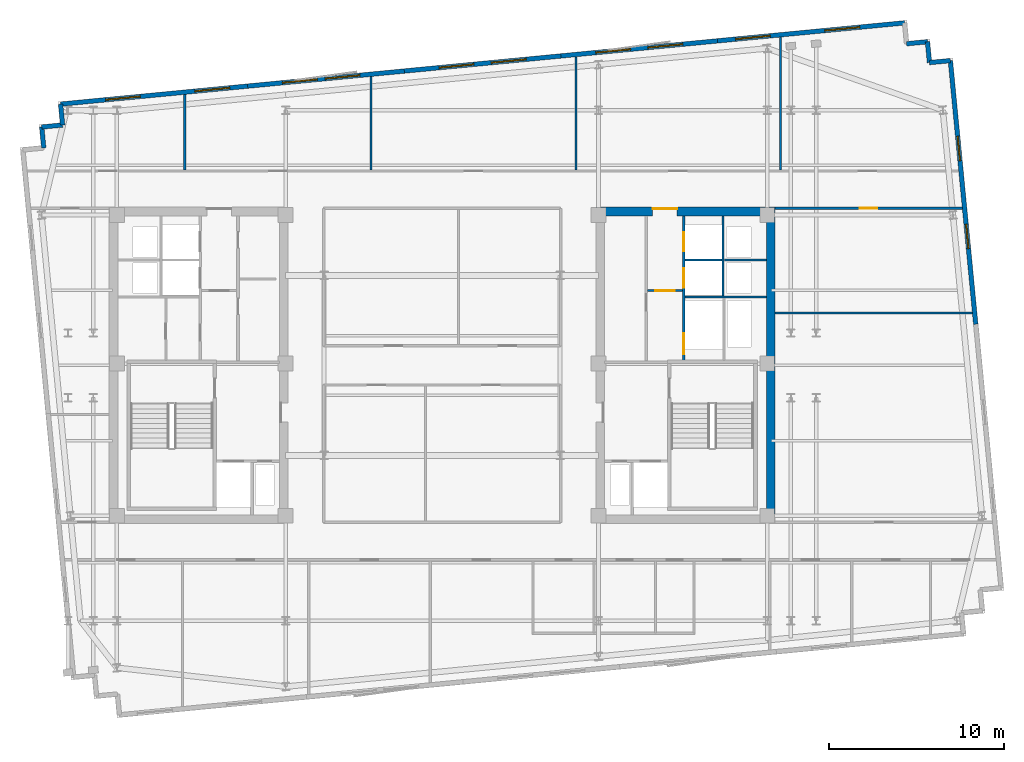
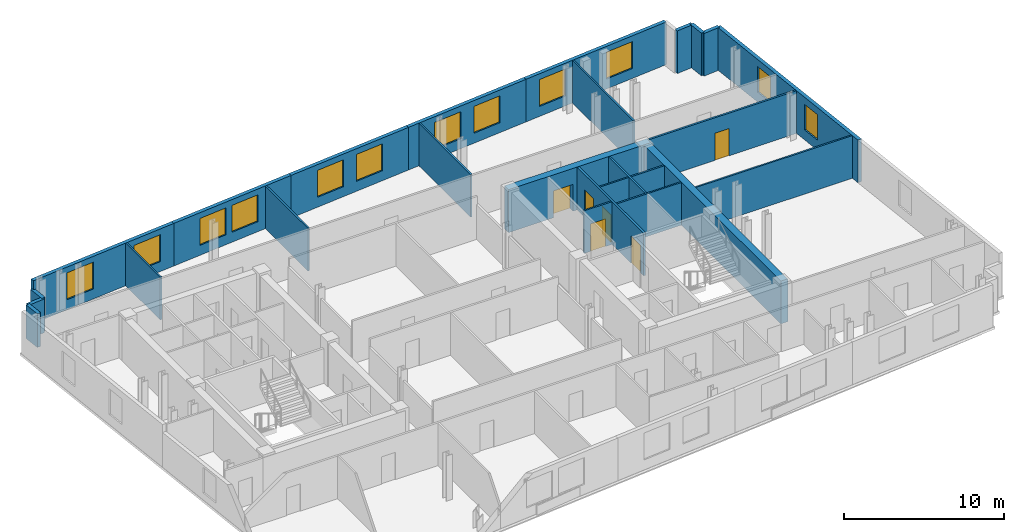
# One storey, part 6 of 9: 26 walls, 12 windows, 6 doors, 18 openings.
"""IFC4 building model written with IfcOpenShell, lengths in metres."""

from ifc_helpers import new_model, si_unit, direction, frame, frame_2d, origin, place, context, subcontext, project, spatial, rectangle, extrude, material, layer, layer_set, type_object, element, fill, save


model = new_model("IFC4")

# Units and contexts
model_context = context("Model", 3, precision=1e-05, world=origin(), true_north=direction((0.0, 1.0)))
body_context = subcontext(model_context, "Body", "Model", "MODEL_VIEW")
ifc_project = project(units=[si_unit("LENGTHUNIT", "METRE"), si_unit("AREAUNIT", "SQUARE_METRE"), si_unit("VOLUMEUNIT", "CUBIC_METRE"), si_unit("PLANEANGLEUNIT", "RADIAN"), si_unit("MASSUNIT", "GRAM", prefix="KILO")], contexts=[model_context])

# Site, building, storey
site_placement = place(None, origin())
site = spatial("IfcSite", under=ifc_project, at=site_placement, CompositionType="ELEMENT")
building_placement = place(site_placement, origin())
building = spatial("IfcBuilding", under=site, at=building_placement, Name="Velakula Bourse", CompositionType="ELEMENT")
storey_placement = place(building_placement, frame((0.0, 0.0, 265.5)))
storey = spatial("IfcBuildingStorey", under=building, at=storey_placement, Name="L72", CompositionType="ELEMENT", Elevation=265.5)

# Wall, opening, door
ifc_material_1 = material(Name="Concrete M50 (fck 50 MPa)", Category="concrete")
ifc_layer_1 = layer(ifc_material_1, 0.5, Name="Concrete M50 (fck 50 MPa)", Category="concrete")
ifc_layer_set_1 = layer_set([ifc_layer_1], Name="Concrete M50 (fck 50 MPa)")
wall_type_1 = type_object("IfcWallType", Name="WL-CORE-500", PredefinedType="SHEAR", material=ifc_layer_set_1)
wall_1_placement = place(storey_placement, frame((8.800048828125, 8.800048828125, 0.0), z_axis=(0.0, 0.0, 1.0), x_axis=(1.0, 0.0, 0.0)))
wall_1 = element("IfcWall", 1, at=wall_1_placement, inside=storey, type_object=wall_type_1, Name="L72 Core E Shear Wall N", PredefinedType="SHEAR", context=body_context, shape_type="SweptSolid", body=[
    extrude(rectangle(XDim=10.25, YDim=0.5, at=frame_2d((5.125, 0.0))), origin(), (0.0, 0.0, 1.0), 3.27001953125),
])
opening_1_placement = place(wall_1_placement, frame((3.25, 0.0, 0.0)))
opening_1 = element("IfcOpeningElement", 2, at=opening_1_placement, cuts=wall_1, Name="Opening D-LLE", PredefinedType="OPENING", context=body_context, shape_type="SweptSolid", body=[
    extrude(rectangle(XDim=1.39990234375, YDim=2.050048828125, at=frame_2d((0.699951171875, 1.02490234375))), frame((0.0, 0.260009765625, 0.0), z_axis=(0.0, -1.0, 0.0), x_axis=(1.0, 0.0, 0.0)), (0.0, 0.0, 1.0), 0.52001953125),
])
ifc_material_2 = material(Name="Fire-rated hardwood flush architectural door", Category="wood")
door_type_1 = type_object("IfcDoorType", Name="DR-DBL-FD60-1400", OperationType="DOUBLE_DOOR_SINGLE_SWING", PredefinedType="DOOR", material=ifc_material_2)
door_1_placement = place(opening_1_placement, origin())
door_1 = element("IfcDoor", 3, at=door_1_placement, inside=storey, type_object=door_type_1, Name="L72 Core E Lift Lobby Corridor Double Door", OperationType="DOUBLE_DOOR_SINGLE_SWING", OverallHeight=2.050048828125, OverallWidth=1.39990234375, PredefinedType="DOOR", context=body_context, shape_type="SweptSolid", body=[
    extrude(rectangle(XDim=1.39990234375, YDim=2.050048828125, at=frame_2d((0.699951171875, 1.02490234375))), frame((0.0, 0.19482421875, 0.0), z_axis=(0.0, -1.0, 0.0), x_axis=(1.0, 0.0, 0.0)), (0.0, 0.0, 1.0), 0.050048828125),
])
fill(opening_1, door_1)

# Wall
wall_2_placement = place(storey_placement, frame((18.800048828125, -8.550048828125, 0.0), z_axis=(0.0, 0.0, 1.0), x_axis=(0.0, 1.0, 0.0)))
element("IfcWall", 4, at=wall_2_placement, inside=storey, type_object=wall_type_1, Name="L72 Core E Shear Wall E", PredefinedType="SHEAR", context=body_context, shape_type="SweptSolid", body=[
    extrude(rectangle(XDim=17.10009765625, YDim=0.5, at=frame_2d((8.550048828125, 0.0))), origin(), (0.0, 0.0, 1.0), 3.27001953125),
])

# Wall, openings, windows
ifc_material_3 = material(Name="Buff kilned clay facing brick masonry", Category="masonry")
ifc_layer_2 = layer(ifc_material_3, 0.260009765625, Name="Buff kilned clay facing brick masonry", Category="masonry")
ifc_layer_set_2 = layer_set([ifc_layer_2], Name="Buff kilned clay facing brick masonry")
wall_type_2 = type_object("IfcWallType", Name="WL-EXT-BRK-260", PredefinedType="STANDARD", material=ifc_layer_set_2)
wall_3_placement = place(storey_placement, frame((-21.820556640625, 14.94482421875, 0.0), z_axis=(0.0, 0.0, 1.0), x_axis=(0.995394787719, 0.095860401528, 0.0)))
wall_3 = element("IfcWall", 5, at=wall_3_placement, inside=storey, type_object=wall_type_2, Name="L72 N Brick Spandrel Wall B1", PredefinedType="STANDARD", context=body_context, shape_type="SweptSolid", body=[
    extrude(rectangle(XDim=10.750244140625, YDim=0.260009765625, at=frame_2d((5.375, 0.0))), origin(), (0.0, 0.0, 1.0), 3.25),
])
opening_2_placement = place(wall_3_placement, frame((2.583251953125, 0.0, 0.760009765625)))
opening_2 = element("IfcOpeningElement", 6, at=opening_2_placement, cuts=wall_3, Name="Opening W-05", PredefinedType="OPENING", context=body_context, shape_type="SweptSolid", body=[
    extrude(rectangle(XDim=2.0, YDim=2.050048828125, at=frame_2d((1.0, 1.02490234375))), frame((0.0, 0.139892578125, 0.0), z_axis=(0.0, -1.0, 0.0), x_axis=(1.0, 0.0, 0.0)), (0.0, 0.0, 1.0), 0.280029296875),
])
opening_3_placement = place(wall_3_placement, frame((7.716796875, 0.0, 0.760009765625)))
opening_3 = element("IfcOpeningElement", 7, at=opening_3_placement, cuts=wall_3, Name="Opening W-05", PredefinedType="OPENING", context=body_context, shape_type="SweptSolid", body=[
    extrude(rectangle(XDim=2.0, YDim=2.050048828125, at=frame_2d((1.0, 1.02490234375))), frame((0.0, 0.139892578125, 0.0), z_axis=(0.0, -1.0, 0.0), x_axis=(1.0, 0.0, 0.0)), (0.0, 0.0, 1.0), 0.280029296875),
])
ifc_material_4 = material(Name="Double-glazed solar-control Low-E glass", Category="glass")
window_type_1 = type_object("IfcWindowType", Name="WIN-TWR-2000x2200", PartitioningType="DOUBLE_PANEL_VERTICAL", PredefinedType="WINDOW", material=ifc_material_4)
window_1_placement = place(opening_2_placement, origin())
window_1 = element("IfcWindow", 8, at=window_1_placement, inside=storey, type_object=window_type_1, Name="L72 Deep-Set Recessed Window 1", OverallHeight=2.050048828125, OverallWidth=2.0, PartitioningType="DOUBLE_PANEL_VERTICAL", PredefinedType="WINDOW", context=body_context, shape_type="SweptSolid", body=[
    extrude(rectangle(XDim=2.0, YDim=2.050048828125, at=frame_2d((1.0, 1.02490234375))), frame((0.0, 0.030029296875, 0.0), z_axis=(0.0, -1.0, 0.0), x_axis=(1.0, 0.0, 0.0)), (0.0, 0.0, 1.0), 0.06005859375),
])
fill(opening_2, window_1)
window_2_placement = place(opening_3_placement, origin())
window_2 = element("IfcWindow", 9, at=window_2_placement, inside=storey, type_object=window_type_1, Name="L72 Deep-Set Recessed Window 2", OverallHeight=2.050048828125, OverallWidth=2.0, PartitioningType="DOUBLE_PANEL_VERTICAL", PredefinedType="WINDOW", context=body_context, shape_type="SweptSolid", body=[
    extrude(rectangle(XDim=2.0, YDim=2.050048828125, at=frame_2d((1.0, 1.02490234375))), frame((0.0, 0.030029296875, 0.0), z_axis=(0.0, -1.0, 0.0), x_axis=(1.0, 0.0, 0.0)), (0.0, 0.0, 1.0), 0.06005859375),
])
fill(opening_3, window_2)

wall_4_placement = place(storey_placement, frame((-11.119873046875, 15.975341796875, 0.0), z_axis=(0.0, 0.0, 1.0), x_axis=(0.995396794462, 0.09583956164, 0.0)))
wall_4 = element("IfcWall", 10, at=wall_4_placement, inside=storey, type_object=wall_type_2, Name="L72 N Brick Spandrel Wall B2", PredefinedType="STANDARD", context=body_context, shape_type="SweptSolid", body=[
    extrude(rectangle(XDim=9.0, YDim=0.260009765625, at=frame_2d((4.5, 0.0))), origin(), (0.0, 0.0, 1.0), 3.25),
])
opening_4_placement = place(wall_4_placement, frame((2.0, 0.0, 0.760009765625)))
opening_4 = element("IfcOpeningElement", 11, at=opening_4_placement, cuts=wall_4, Name="Opening W-05", PredefinedType="OPENING", context=body_context, shape_type="SweptSolid", body=[
    extrude(rectangle(XDim=2.0, YDim=2.050048828125, at=frame_2d((1.0, 1.02490234375))), frame((0.0, 0.139892578125, 0.0), z_axis=(0.0, -1.0, 0.0), x_axis=(1.0, 0.0, 0.0)), (0.0, 0.0, 1.0), 0.280029296875),
])
opening_5_placement = place(wall_4_placement, frame((4.449951171875, 0.0, 0.760009765625)))
opening_5 = element("IfcOpeningElement", 12, at=opening_5_placement, cuts=wall_4, Name="Opening W-05", PredefinedType="OPENING", context=body_context, shape_type="SweptSolid", body=[
    extrude(rectangle(XDim=2.0, YDim=2.050048828125, at=frame_2d((1.0, 1.02490234375))), frame((0.0, 0.139892578125, 0.0), z_axis=(0.0, -1.0, 0.0), x_axis=(1.0, 0.0, 0.0)), (0.0, 0.0, 1.0), 0.280029296875),
])
window_3_placement = place(opening_4_placement, origin())
window_3 = element("IfcWindow", 13, at=window_3_placement, inside=storey, type_object=window_type_1, Name="L72 Deep-Set Recessed Window 1", OverallHeight=2.050048828125, OverallWidth=2.0, PartitioningType="DOUBLE_PANEL_VERTICAL", PredefinedType="WINDOW", context=body_context, shape_type="SweptSolid", body=[
    extrude(rectangle(XDim=2.0, YDim=2.050048828125, at=frame_2d((1.0, 1.02490234375))), frame((0.0, 0.030029296875, 0.0), z_axis=(0.0, -1.0, 0.0), x_axis=(1.0, 0.0, 0.0)), (0.0, 0.0, 1.0), 0.06005859375),
])
fill(opening_4, window_3)
window_4_placement = place(opening_5_placement, origin())
window_4 = element("IfcWindow", 14, at=window_4_placement, inside=storey, type_object=window_type_1, Name="L72 Deep-Set Recessed Window 2", OverallHeight=2.050048828125, OverallWidth=2.0, PartitioningType="DOUBLE_PANEL_VERTICAL", PredefinedType="WINDOW", context=body_context, shape_type="SweptSolid", body=[
    extrude(rectangle(XDim=2.0, YDim=2.050048828125, at=frame_2d((1.0, 1.02490234375))), frame((0.0, 0.030029296875, 0.0), z_axis=(0.0, -1.0, 0.0), x_axis=(1.0, 0.0, 0.0)), (0.0, 0.0, 1.0), 0.06005859375),
])
fill(opening_5, window_4)

wall_5_placement = place(storey_placement, frame((-2.161376953125, 16.837890625, 0.0), z_axis=(0.0, 0.0, 1.0), x_axis=(0.995396794462, 0.09583956164, 0.0)))
wall_5 = element("IfcWall", 15, at=wall_5_placement, inside=storey, type_object=wall_type_2, Name="L72 N Brick Spandrel Wall B3", PredefinedType="STANDARD", context=body_context, shape_type="SweptSolid", body=[
    extrude(rectangle(XDim=9.0, YDim=0.260009765625, at=frame_2d((4.5, 0.0))), origin(), (0.0, 0.0, 1.0), 3.25),
])
opening_6_placement = place(wall_5_placement, frame((2.0, 0.0, 0.760009765625)))
opening_6 = element("IfcOpeningElement", 16, at=opening_6_placement, cuts=wall_5, Name="Opening W-05", PredefinedType="OPENING", context=body_context, shape_type="SweptSolid", body=[
    extrude(rectangle(XDim=2.0, YDim=2.050048828125, at=frame_2d((1.0, 1.02490234375))), frame((0.0, 0.139892578125, 0.0), z_axis=(0.0, -1.0, 0.0), x_axis=(1.0, 0.0, 0.0)), (0.0, 0.0, 1.0), 0.280029296875),
])
opening_7_placement = place(wall_5_placement, frame((5.0, 0.0, 0.760009765625)))
opening_7 = element("IfcOpeningElement", 17, at=opening_7_placement, cuts=wall_5, Name="Opening W-05", PredefinedType="OPENING", context=body_context, shape_type="SweptSolid", body=[
    extrude(rectangle(XDim=2.0, YDim=2.050048828125, at=frame_2d((1.0, 1.02490234375))), frame((0.0, 0.139892578125, 0.0), z_axis=(0.0, -1.0, 0.0), x_axis=(1.0, 0.0, 0.0)), (0.0, 0.0, 1.0), 0.280029296875),
])
window_5_placement = place(opening_6_placement, origin())
window_5 = element("IfcWindow", 18, at=window_5_placement, inside=storey, type_object=window_type_1, Name="L72 Deep-Set Recessed Window 1", OverallHeight=2.050048828125, OverallWidth=2.0, PartitioningType="DOUBLE_PANEL_VERTICAL", PredefinedType="WINDOW", context=body_context, shape_type="SweptSolid", body=[
    extrude(rectangle(XDim=2.0, YDim=2.050048828125, at=frame_2d((1.0, 1.02490234375))), frame((0.0, 0.030029296875, 0.0), z_axis=(0.0, -1.0, 0.0), x_axis=(1.0, 0.0, 0.0)), (0.0, 0.0, 1.0), 0.06005859375),
])
fill(opening_6, window_5)
window_6_placement = place(opening_7_placement, origin())
window_6 = element("IfcWindow", 19, at=window_6_placement, inside=storey, type_object=window_type_1, Name="L72 Deep-Set Recessed Window 2", OverallHeight=2.050048828125, OverallWidth=2.0, PartitioningType="DOUBLE_PANEL_VERTICAL", PredefinedType="WINDOW", context=body_context, shape_type="SweptSolid", body=[
    extrude(rectangle(XDim=2.0, YDim=2.050048828125, at=frame_2d((1.0, 1.02490234375))), frame((0.0, 0.030029296875, 0.0), z_axis=(0.0, -1.0, 0.0), x_axis=(1.0, 0.0, 0.0)), (0.0, 0.0, 1.0), 0.06005859375),
])
fill(opening_7, window_6)

wall_6_placement = place(storey_placement, frame((6.797119140625, 17.700439453125, 0.0), z_axis=(0.0, 0.0, 1.0), x_axis=(0.995394455533, 0.09586385082, 0.0)))
wall_6 = element("IfcWall", 20, at=wall_6_placement, inside=storey, type_object=wall_type_2, Name="L72 N Brick Spandrel Wall B4", PredefinedType="STANDARD", context=body_context, shape_type="SweptSolid", body=[
    extrude(rectangle(XDim=9.000244140625, YDim=0.260009765625, at=frame_2d((4.5, 0.0))), origin(), (0.0, 0.0, 1.0), 3.25),
])
opening_8_placement = place(wall_6_placement, frame((2.0, 0.0, 0.760009765625)))
opening_8 = element("IfcOpeningElement", 21, at=opening_8_placement, cuts=wall_6, Name="Opening W-05", PredefinedType="OPENING", context=body_context, shape_type="SweptSolid", body=[
    extrude(rectangle(XDim=2.0, YDim=2.050048828125, at=frame_2d((1.0, 1.02490234375))), frame((0.0, 0.139892578125, 0.0), z_axis=(0.0, -1.0, 0.0), x_axis=(1.0, 0.0, 0.0)), (0.0, 0.0, 1.0), 0.280029296875),
])
opening_9_placement = place(wall_6_placement, frame((5.0, 0.0, 0.760009765625)))
opening_9 = element("IfcOpeningElement", 22, at=opening_9_placement, cuts=wall_6, Name="Opening W-05", PredefinedType="OPENING", context=body_context, shape_type="SweptSolid", body=[
    extrude(rectangle(XDim=2.0, YDim=2.050048828125, at=frame_2d((1.0, 1.02490234375))), frame((0.0, 0.139892578125, 0.0), z_axis=(0.0, -1.0, 0.0), x_axis=(1.0, 0.0, 0.0)), (0.0, 0.0, 1.0), 0.280029296875),
])
window_7_placement = place(opening_8_placement, origin())
window_7 = element("IfcWindow", 23, at=window_7_placement, inside=storey, type_object=window_type_1, Name="L72 Deep-Set Recessed Window 1", OverallHeight=2.050048828125, OverallWidth=2.0, PartitioningType="DOUBLE_PANEL_VERTICAL", PredefinedType="WINDOW", context=body_context, shape_type="SweptSolid", body=[
    extrude(rectangle(XDim=2.0, YDim=2.050048828125, at=frame_2d((1.0, 1.02490234375))), frame((0.0, 0.030029296875, 0.0), z_axis=(0.0, -1.0, 0.0), x_axis=(1.0, 0.0, 0.0)), (0.0, 0.0, 1.0), 0.06005859375),
])
fill(opening_8, window_7)
window_8_placement = place(opening_9_placement, origin())
window_8 = element("IfcWindow", 24, at=window_8_placement, inside=storey, type_object=window_type_1, Name="L72 Deep-Set Recessed Window 2", OverallHeight=2.050048828125, OverallWidth=2.0, PartitioningType="DOUBLE_PANEL_VERTICAL", PredefinedType="WINDOW", context=body_context, shape_type="SweptSolid", body=[
    extrude(rectangle(XDim=2.0, YDim=2.050048828125, at=frame_2d((1.0, 1.02490234375))), frame((0.0, 0.030029296875, 0.0), z_axis=(0.0, -1.0, 0.0), x_axis=(1.0, 0.0, 0.0)), (0.0, 0.0, 1.0), 0.06005859375),
])
fill(opening_9, window_8)

wall_7_placement = place(storey_placement, frame((15.755859375, 18.563232421875, 0.0), z_axis=(0.0, 0.0, 1.0), x_axis=(0.995396745868, 0.095840066339, 0.0)))
wall_7 = element("IfcWall", 25, at=wall_7_placement, inside=storey, type_object=wall_type_2, Name="L72 N Brick Spandrel Wall B5", PredefinedType="STANDARD", context=body_context, shape_type="SweptSolid", body=[
    extrude(rectangle(XDim=10.75, YDim=0.260009765625, at=frame_2d((5.375, 0.0))), origin(), (0.0, 0.0, 1.0), 3.25),
])
opening_10_placement = place(wall_7_placement, frame((1.033203125, 0.0, 0.760009765625)))
opening_10 = element("IfcOpeningElement", 26, at=opening_10_placement, cuts=wall_7, Name="Opening W-05", PredefinedType="OPENING", context=body_context, shape_type="SweptSolid", body=[
    extrude(rectangle(XDim=2.0, YDim=2.050048828125, at=frame_2d((1.0, 1.02490234375))), frame((0.0, 0.139892578125, 0.0), z_axis=(0.0, -1.0, 0.0), x_axis=(1.0, 0.0, 0.0)), (0.0, 0.0, 1.0), 0.280029296875),
])
opening_11_placement = place(wall_7_placement, frame((6.166748046875, 0.0, 0.760009765625)))
opening_11 = element("IfcOpeningElement", 27, at=opening_11_placement, cuts=wall_7, Name="Opening W-05", PredefinedType="OPENING", context=body_context, shape_type="SweptSolid", body=[
    extrude(rectangle(XDim=2.0, YDim=2.050048828125, at=frame_2d((1.0, 1.02490234375))), frame((0.0, 0.139892578125, 0.0), z_axis=(0.0, -1.0, 0.0), x_axis=(1.0, 0.0, 0.0)), (0.0, 0.0, 1.0), 0.280029296875),
])
window_9_placement = place(opening_10_placement, origin())
window_9 = element("IfcWindow", 28, at=window_9_placement, inside=storey, type_object=window_type_1, Name="L72 Deep-Set Recessed Window 1", OverallHeight=2.050048828125, OverallWidth=2.0, PartitioningType="DOUBLE_PANEL_VERTICAL", PredefinedType="WINDOW", context=body_context, shape_type="SweptSolid", body=[
    extrude(rectangle(XDim=2.0, YDim=2.050048828125, at=frame_2d((1.0, 1.02490234375))), frame((0.0, 0.030029296875, 0.0), z_axis=(0.0, -1.0, 0.0), x_axis=(1.0, 0.0, 0.0)), (0.0, 0.0, 1.0), 0.06005859375),
])
fill(opening_10, window_9)
window_10_placement = place(opening_11_placement, origin())
window_10 = element("IfcWindow", 29, at=window_10_placement, inside=storey, type_object=window_type_1, Name="L72 Deep-Set Recessed Window 2", OverallHeight=2.050048828125, OverallWidth=2.0, PartitioningType="DOUBLE_PANEL_VERTICAL", PredefinedType="WINDOW", context=body_context, shape_type="SweptSolid", body=[
    extrude(rectangle(XDim=2.0, YDim=2.050048828125, at=frame_2d((1.0, 1.02490234375))), frame((0.0, 0.030029296875, 0.0), z_axis=(0.0, -1.0, 0.0), x_axis=(1.0, 0.0, 0.0)), (0.0, 0.0, 1.0), 0.06005859375),
])
fill(opening_11, window_10)

wall_8_placement = place(storey_placement, frame((29.0751953125, 17.4345703125, 0.0), z_axis=(0.0, 0.0, 1.0), x_axis=(0.095850890337, -0.995395703638, 0.0)))
wall_8 = element("IfcWall", 30, at=wall_8_placement, inside=storey, type_object=wall_type_2, Name="L72 E Brick End Wall W2", PredefinedType="STANDARD", context=body_context, shape_type="SweptSolid", body=[
    extrude(rectangle(XDim=15.150146484375, YDim=0.260009765625, at=frame_2d((7.5751953125, 0.0))), origin(), (0.0, 0.0, 1.0), 3.25),
])
opening_12_placement = place(wall_8_placement, frame((4.35009765625, 0.0, 0.760009765625)))
opening_12 = element("IfcOpeningElement", 31, at=opening_12_placement, cuts=wall_8, Name="Opening W-03", PredefinedType="OPENING", context=body_context, shape_type="SweptSolid", body=[
    extrude(rectangle(XDim=1.39990234375, YDim=1.949951171875, at=frame_2d((0.699951171875, 0.97509765625))), frame((0.0, 0.139892578125, 0.0), z_axis=(0.0, -1.0, 0.0), x_axis=(1.0, 0.0, 0.0)), (0.0, 0.0, 1.0), 0.280029296875),
])
opening_13_placement = place(wall_8_placement, frame((9.39990234375, 0.0, 0.760009765625)))
opening_13 = element("IfcOpeningElement", 32, at=opening_13_placement, cuts=wall_8, Name="Opening W-03", PredefinedType="OPENING", context=body_context, shape_type="SweptSolid", body=[
    extrude(rectangle(XDim=1.39990234375, YDim=1.949951171875, at=frame_2d((0.699951171875, 0.97509765625))), frame((0.0, 0.139892578125, 0.0), z_axis=(0.0, -1.0, 0.0), x_axis=(1.0, 0.0, 0.0)), (0.0, 0.0, 1.0), 0.280029296875),
])
window_type_2 = type_object("IfcWindowType", Name="WIN-TWR-1400x2100", PartitioningType="SINGLE_PANEL", PredefinedType="WINDOW", material=ifc_material_4)
window_11_placement = place(opening_12_placement, origin())
window_11 = element("IfcWindow", 33, at=window_11_placement, inside=storey, type_object=window_type_2, Name="L72 Deep-Set Recessed Window 1", OverallHeight=1.949951171875, OverallWidth=1.39990234375, PartitioningType="SINGLE_PANEL", PredefinedType="WINDOW", context=body_context, shape_type="SweptSolid", body=[
    extrude(rectangle(XDim=1.39990234375, YDim=1.949951171875, at=frame_2d((0.699951171875, 0.97509765625))), frame((0.0, 0.030029296875, 0.0), z_axis=(0.0, -1.0, 0.0), x_axis=(1.0, 0.0, 0.0)), (0.0, 0.0, 1.0), 0.06005859375),
])
fill(opening_12, window_11)
window_12_placement = place(opening_13_placement, origin())
window_12 = element("IfcWindow", 34, at=window_12_placement, inside=storey, type_object=window_type_2, Name="L72 Deep-Set Recessed Window 2", OverallHeight=1.949951171875, OverallWidth=1.39990234375, PartitioningType="SINGLE_PANEL", PredefinedType="WINDOW", context=body_context, shape_type="SweptSolid", body=[
    extrude(rectangle(XDim=1.39990234375, YDim=1.949951171875, at=frame_2d((0.699951171875, 0.97509765625))), frame((0.0, 0.030029296875, 0.0), z_axis=(0.0, -1.0, 0.0), x_axis=(1.0, 0.0, 0.0)), (0.0, 0.0, 1.0), 0.06005859375),
])
fill(opening_13, window_12)

# Walls
for number, where, z_axis, x_axis, name in (
    (35, (29.0751953125, 17.4345703125, 0.0), (0.0, 0.0, 1.0), (-0.995397091755, -0.095836473879, 0.0), "L72 Serrated Corner Brick Wall NE-1"),
    (36, (27.880859375, 17.319580078125, 0.0), (0.0, 0.0, 1.0), (-0.095836473879, 0.995397091755, 0.0), "L72 Serrated Corner Brick Wall NE-2"),
):
    element("IfcWall", number, at=place(storey_placement, frame(where, z_axis=z_axis, x_axis=x_axis)), inside=storey, type_object=wall_type_2, Name=name, PredefinedType="STANDARD", context=body_context, shape_type="SweptSolid", body=[
        extrude(rectangle(XDim=1.199951171875, YDim=0.260009765625, at=frame_2d((0.60009765625, 0.0))), origin(), (0.0, 0.0, 1.0), 3.25),
    ])
wall_9_placement = place(storey_placement, frame((27.765869140625, 18.513916015625, 0.0), z_axis=(0.0, 0.0, 1.0), x_axis=(-0.995398960025, -0.095817067274, 0.0)))
element("IfcWall", 37, at=wall_9_placement, inside=storey, type_object=wall_type_2, Name="L72 Serrated Corner Brick Wall NE-3", PredefinedType="STANDARD", context=body_context, shape_type="SweptSolid", body=[
    extrude(rectangle(XDim=1.2001953125, YDim=0.260009765625, at=frame_2d((0.60009765625, 0.0))), origin(), (0.0, 0.0, 1.0), 3.25),
])
wall_10_placement = place(storey_placement, frame((-21.820556640625, 14.94482421875, 0.0), z_axis=(0.0, 0.0, 1.0), x_axis=(0.096038073607, -0.995377661201, 0.0)))
element("IfcWall", 38, at=wall_10_placement, inside=storey, type_object=wall_type_2, Name="L72 Serrated Corner Brick Wall NW-1", PredefinedType="STANDARD", context=body_context, shape_type="SweptSolid", body=[
    extrude(rectangle(XDim=1.199951171875, YDim=0.260009765625, at=frame_2d((0.60009765625, 0.0))), origin(), (0.0, 0.0, 1.0), 2.56494140625),
])
for number, where, z_axis, x_axis, name in (
    (39, (-21.705322265625, 13.75048828125, 0.0), (0.0, 0.0, 1.0), (-0.995398960025, -0.095817067274, 0.0), "L72 Serrated Corner Brick Wall NW-2"),
    (40, (-22.89990234375, 13.635498046875, 0.0), (0.0, 0.0, 1.0), (0.095817067274, -0.995398960025, 0.0), "L72 Serrated Corner Brick Wall NW-3"),
):
    element("IfcWall", number, at=place(storey_placement, frame(where, z_axis=z_axis, x_axis=x_axis)), inside=storey, type_object=wall_type_2, Name=name, PredefinedType="STANDARD", context=body_context, shape_type="SweptSolid", body=[
        extrude(rectangle(XDim=1.2001953125, YDim=0.260009765625, at=frame_2d((0.60009765625, 0.0))), origin(), (0.0, 0.0, 1.0), 2.56494140625),
    ])

# Wall, opening, door
ifc_material_5 = material(Name="Fire-rated double-layer gypsum drywall partition", Category="gypsum")
ifc_layer_3 = layer(ifc_material_5, 0.1201171875, Name="Fire-rated double-layer gypsum drywall partition", Category="gypsum")
ifc_layer_set_3 = layer_set([ifc_layer_3], Name="Fire-rated double-layer gypsum drywall partition")
wall_type_3 = type_object("IfcWallType", Name="WL-PART-120", PredefinedType="STANDARD", material=ifc_layer_set_3)
wall_11_placement = place(storey_placement, frame((11.75, 4.280029296875, 0.0), z_axis=(0.0, 0.0, 1.0), x_axis=(1.0, 0.0, 0.0)))
wall_11 = element("IfcWall", 41, at=wall_11_placement, inside=storey, type_object=wall_type_3, Name="L72 Interior Partition WL-CRE-L72-LL-K2", PredefinedType="STANDARD", context=body_context, shape_type="SweptSolid", body=[
    extrude(rectangle(XDim=2.0, YDim=0.1201171875, at=frame_2d((1.0, 0.0))), origin(), (0.0, 0.0, 1.0), 3.25),
])
opening_14_placement = place(wall_11_placement, frame((0.449951171875, 0.0, 0.0)))
opening_14 = element("IfcOpeningElement", 42, at=opening_14_placement, cuts=wall_11, Name="Opening D-LK2", PredefinedType="OPENING", context=body_context, shape_type="SweptSolid", body=[
    extrude(rectangle(XDim=1.10009765625, YDim=2.10009765625, at=frame_2d((0.550048828125, 1.050048828125))), frame((0.0, 0.070068359375, 0.0), z_axis=(0.0, -1.0, 0.0), x_axis=(1.0, 0.0, 0.0)), (0.0, 0.0, 1.0), 0.14013671875),
])
door_type_2 = type_object("IfcDoorType", Name="DR-FD60-1100x2100", OperationType="NOTDEFINED", PredefinedType="DOOR", material=ifc_material_2)
door_2_placement = place(opening_14_placement, origin())
door_2 = element("IfcDoor", 43, at=door_2_placement, inside=storey, type_object=door_type_2, Name="L72 Core E Lift Lobby Zone Door", OperationType="SINGLE_SWING_LEFT", OverallHeight=2.10009765625, OverallWidth=1.10009765625, PredefinedType="DOOR", context=body_context, shape_type="SweptSolid", body=[
    extrude(rectangle(XDim=1.10009765625, YDim=2.10009765625, at=frame_2d((0.550048828125, 1.050048828125))), frame((0.0, 0.02490234375, 0.0), z_axis=(0.0, -1.0, 0.0), x_axis=(1.0, 0.0, 0.0)), (0.0, 0.0, 1.0), 0.050048828125),
])
fill(opening_14, door_2)

# Walls
wall_12_placement = place(storey_placement, frame((13.89990234375, 3.919921875, 0.0), z_axis=(0.0, 0.0, 1.0), x_axis=(1.0, 0.0, 0.0)))
element("IfcWall", 44, at=wall_12_placement, inside=storey, type_object=wall_type_3, Name="L72 Interior Partition WL-CRE-L72-HI-S", PredefinedType="STANDARD", context=body_context, shape_type="SweptSolid", body=[
    extrude(rectangle(XDim=4.650146484375, YDim=0.1201171875, at=frame_2d((2.3251953125, 0.0))), origin(), (0.0, 0.0, 1.0), 3.25),
])
wall_13_placement = place(storey_placement, frame((16.14990234375, 6.030029296875, 0.0), z_axis=(0.0, 0.0, 1.0), x_axis=(1.0, 0.0, 0.0)))
element("IfcWall", 45, at=wall_13_placement, inside=storey, type_object=wall_type_3, Name="L72 Interior Partition WL-CRE-L72-RIS-MID", PredefinedType="STANDARD", context=body_context, shape_type="SweptSolid", body=[
    extrude(rectangle(XDim=2.400146484375, YDim=0.1201171875, at=frame_2d((1.2001953125, 0.0))), origin(), (0.0, 0.0, 1.0), 3.25),
])
wall_14_placement = place(storey_placement, frame((16.074951171875, 3.97998046875, 0.0), z_axis=(0.0, 0.0, 1.0), x_axis=(0.0, 1.0, 0.0)))
element("IfcWall", 46, at=wall_14_placement, inside=storey, type_object=wall_type_3, Name="L72 Interior Partition WL-CRE-L72-RIS-F", PredefinedType="STANDARD", context=body_context, shape_type="SweptSolid", body=[
    extrude(rectangle(XDim=4.570068359375, YDim=0.1201171875, at=frame_2d((2.28515625, 0.0))), origin(), (0.0, 0.0, 1.0), 3.25),
])
wall_15_placement = place(storey_placement, frame((13.89990234375, 6.030029296875, 0.0), z_axis=(0.0, 0.0, 1.0), x_axis=(1.0, 0.0, 0.0)))
element("IfcWall", 47, at=wall_15_placement, inside=storey, type_object=wall_type_3, Name="L72 Interior Partition WL-CRE-L72-HI-DIV", PredefinedType="STANDARD", context=body_context, shape_type="SweptSolid", body=[
    extrude(rectangle(XDim=2.10009765625, YDim=0.1201171875, at=frame_2d((1.050048828125, 0.0))), origin(), (0.0, 0.0, 1.0), 3.25),
])
wall_16_placement = place(storey_placement, frame((-14.718017578125, 11.18994140625, 0.0), z_axis=(0.0, 0.0, 1.0), x_axis=(0.0, 1.0, 0.0)))
element("IfcWall", 48, at=wall_16_placement, inside=storey, type_object=wall_type_3, Name="L72 Interior Partition WL-INT-L72-N-D1", PredefinedType="STANDARD", context=body_context, shape_type="SweptSolid", body=[
    extrude(rectangle(XDim=4.308349609375, YDim=0.1201171875, at=frame_2d((2.154296875, 0.0))), origin(), (0.0, 0.0, 1.0), 3.25),
])
wall_17_placement = place(storey_placement, frame((-4.06689453125, 11.18994140625, 0.0), z_axis=(0.0, 0.0, 1.0), x_axis=(0.0, 1.0, 0.0)))
element("IfcWall", 49, at=wall_17_placement, inside=storey, type_object=wall_type_3, Name="L72 Interior Partition WL-INT-L72-N-D2", PredefinedType="STANDARD", context=body_context, shape_type="SweptSolid", body=[
    extrude(rectangle(XDim=5.333740234375, YDim=0.1201171875, at=frame_2d((2.6669921875, 0.0))), origin(), (0.0, 0.0, 1.0), 3.25),
])
wall_18_placement = place(storey_placement, frame((7.64990234375, 11.18994140625, 0.0), z_axis=(0.0, 0.0, 1.0), x_axis=(0.0, 1.0, 0.0)))
element("IfcWall", 50, at=wall_18_placement, inside=storey, type_object=wall_type_3, Name="L72 Interior Partition WL-INT-L72-N-D3", PredefinedType="STANDARD", context=body_context, shape_type="SweptSolid", body=[
    extrude(rectangle(XDim=6.462158203125, YDim=0.1201171875, at=frame_2d((3.23095703125, 0.0))), origin(), (0.0, 0.0, 1.0), 3.25),
])
wall_19_placement = place(storey_placement, frame((19.366943359375, 11.18994140625, 0.0), z_axis=(0.0, 0.0, 1.0), x_axis=(0.0, 1.0, 0.0)))
element("IfcWall", 51, at=wall_19_placement, inside=storey, type_object=wall_type_3, Name="L72 Interior Partition WL-INT-L72-N-D4", PredefinedType="STANDARD", context=body_context, shape_type="SweptSolid", body=[
    extrude(rectangle(XDim=7.59033203125, YDim=0.1201171875, at=frame_2d((3.795166015625, 0.0))), origin(), (0.0, 0.0, 1.0), 3.25),
])
wall_20_placement = place(storey_placement, frame((19.050048828125, 3.0, 0.0), z_axis=(0.0, 0.0, 1.0), x_axis=(1.0, 0.0, 0.0)))
element("IfcWall", 52, at=wall_20_placement, inside=storey, type_object=wall_type_3, Name="L72 Interior Partition WL-INT-L72-E-H", PredefinedType="STANDARD", context=body_context, shape_type="SweptSolid", body=[
    extrude(rectangle(XDim=11.284423828125, YDim=0.1201171875, at=frame_2d((5.64208984375, 0.0))), origin(), (0.0, 0.0, 1.0), 3.25),
])

# Wall, opening, door
ifc_layer_4 = layer(ifc_material_5, 0.139892578125, Name="Fire-rated double-layer gypsum drywall partition", Category="gypsum")
ifc_layer_set_4 = layer_set([ifc_layer_4], Name="Fire-rated double-layer gypsum drywall partition")
wall_type_4 = type_object("IfcWallType", Name="WL-PART-140", PredefinedType="STANDARD", material=ifc_layer_set_4)
wall_21_placement = place(storey_placement, frame((19.050048828125, 8.97998046875, 0.0), z_axis=(0.0, 0.0, 1.0), x_axis=(1.0, 0.0, 0.0)))
wall_21 = element("IfcWall", 53, at=wall_21_placement, inside=storey, type_object=wall_type_4, Name="L72 Interior Partition WL-INT-L72-E-NC", PredefinedType="STANDARD", context=body_context, shape_type="SweptSolid", body=[
    extrude(rectangle(XDim=10.708740234375, YDim=0.139892578125, at=frame_2d((5.3544921875, 0.0))), origin(), (0.0, 0.0, 1.0), 3.25),
])
opening_15_placement = place(wall_21_placement, frame((4.8544921875, 0.0, 0.0)))
opening_15 = element("IfcOpeningElement", 54, at=opening_15_placement, cuts=wall_21, Name="Opening D-OF1", PredefinedType="OPENING", context=body_context, shape_type="SweptSolid", body=[
    extrude(rectangle(XDim=1.0, YDim=2.080078125, at=frame_2d((0.5, 1.0400390625))), frame((0.0, 0.079833984375, 0.0), z_axis=(0.0, -1.0, 0.0), x_axis=(1.0, 0.0, 0.0)), (0.0, 0.0, 1.0), 0.159912109375),
])
door_type_3 = type_object("IfcDoorType", Name="DR-OFF-1000", OperationType="NOTDEFINED", PredefinedType="DOOR", material=ifc_material_2)
door_3_placement = place(opening_15_placement, origin())
door_3 = element("IfcDoor", 55, at=door_3_placement, inside=storey, type_object=door_type_3, Name="L72 Company Secretary Office Door", OperationType="SINGLE_SWING_LEFT", OverallHeight=2.080078125, OverallWidth=1.0, PredefinedType="DOOR", context=body_context, shape_type="SweptSolid", body=[
    extrude(rectangle(XDim=1.0, YDim=2.080078125, at=frame_2d((0.5, 1.0400390625))), frame((0.0, 0.02490234375, 0.0), z_axis=(0.0, -1.0, 0.0), x_axis=(1.0, 0.0, 0.0)), (0.0, 0.0, 1.0), 0.050048828125),
])
fill(opening_15, door_3)

# Wall, openings, doors
ifc_material_6 = material(Name="Autoclaved aerated concrete blockwork masonry", Category="masonry")
ifc_layer_5 = layer(ifc_material_6, 0.14990234375, Name="Autoclaved aerated concrete blockwork masonry", Category="masonry")
ifc_layer_set_5 = layer_set([ifc_layer_5], Name="Autoclaved aerated concrete blockwork masonry")
wall_type_5 = type_object("IfcWallType", Name="WL-SHAFT-150", PredefinedType="STANDARD", material=ifc_layer_set_5)
wall_22_placement = place(storey_placement, frame((13.824951171875, 0.27001953125, 0.0), z_axis=(0.0, 0.0, 1.0), x_axis=(0.0, 1.0, 0.0)))
wall_22 = element("IfcWall", 56, at=wall_22_placement, inside=storey, type_object=wall_type_5, Name="L72 Interior Partition WL-CRE-L72-OUT-F", PredefinedType="STANDARD", context=body_context, shape_type="SweptSolid", body=[
    extrude(rectangle(XDim=8.280029296875, YDim=0.14990234375, at=frame_2d((4.14013671875, 0.0))), origin(), (0.0, 0.0, 1.0), 3.25),
])
opening_16_placement = place(wall_22_placement, frame((4.175048828125, 0.0, 0.0)))
opening_16 = element("IfcOpeningElement", 57, at=opening_16_placement, cuts=wall_22, Name="Opening LD-P11", PredefinedType="OPENING", context=body_context, shape_type="SweptSolid", body=[
    extrude(rectangle(XDim=1.10009765625, YDim=2.10009765625, at=frame_2d((0.550048828125, 1.050048828125))), frame((0.0, 0.0849609375, 0.0), z_axis=(0.0, -1.0, 0.0), x_axis=(1.0, 0.0, 0.0)), (0.0, 0.0, 1.0), 0.169921875),
])
opening_17_placement = place(wall_22_placement, frame((6.2451171875, 0.0, 0.0)))
opening_17 = element("IfcOpeningElement", 58, at=opening_17_placement, cuts=wall_22, Name="Opening LD-P12", PredefinedType="OPENING", context=body_context, shape_type="SweptSolid", body=[
    extrude(rectangle(XDim=1.10009765625, YDim=2.10009765625, at=frame_2d((0.550048828125, 1.050048828125))), frame((0.0, 0.0849609375, 0.0), z_axis=(0.0, -1.0, 0.0), x_axis=(1.0, 0.0, 0.0)), (0.0, 0.0, 1.0), 0.169921875),
])
opening_18_placement = place(wall_22_placement, frame((0.3798828125, 0.0, 0.0)))
opening_18 = element("IfcOpeningElement", 59, at=opening_18_placement, cuts=wall_22, Name="Opening LD-SVL1", PredefinedType="OPENING", context=body_context, shape_type="SweptSolid", body=[
    extrude(rectangle(XDim=1.199951171875, YDim=2.10009765625, at=frame_2d((0.60009765625, 1.050048828125))), frame((0.0, 0.0849609375, 0.0), z_axis=(0.0, -1.0, 0.0), x_axis=(1.0, 0.0, 0.0)), (0.0, 0.0, 1.0), 0.169921875),
])
ifc_material_7 = material(Name="Brushed grade 316 stainless steel", Category="steel")
door_type_4 = type_object("IfcDoorType", Name="DR-SLIDE-LD-1100", OperationType="DOUBLE_DOOR_SLIDING", PredefinedType="DOOR", material=ifc_material_7)
door_4_placement = place(opening_16_placement, origin())
door_4 = element("IfcDoor", 60, at=door_4_placement, inside=storey, type_object=door_type_4, Name="L72 Passenger Lift P11 Sliding Landing Door", OperationType="DOUBLE_DOOR_SLIDING", OverallHeight=2.10009765625, OverallWidth=1.10009765625, PredefinedType="DOOR", context=body_context, shape_type="SweptSolid", body=[
    extrude(rectangle(XDim=1.10009765625, YDim=2.10009765625, at=frame_2d((0.550048828125, 1.050048828125))), frame((0.0, 0.02490234375, 0.0), z_axis=(0.0, -1.0, 0.0), x_axis=(1.0, 0.0, 0.0)), (0.0, 0.0, 1.0), 0.050048828125),
])
fill(opening_16, door_4)
door_5_placement = place(opening_17_placement, origin())
door_5 = element("IfcDoor", 61, at=door_5_placement, inside=storey, type_object=door_type_4, Name="L72 Passenger Lift P12 Sliding Landing Door", OperationType="DOUBLE_DOOR_SLIDING", OverallHeight=2.10009765625, OverallWidth=1.10009765625, PredefinedType="DOOR", context=body_context, shape_type="SweptSolid", body=[
    extrude(rectangle(XDim=1.10009765625, YDim=2.10009765625, at=frame_2d((0.550048828125, 1.050048828125))), frame((0.0, 0.02490234375, 0.0), z_axis=(0.0, -1.0, 0.0), x_axis=(1.0, 0.0, 0.0)), (0.0, 0.0, 1.0), 0.050048828125),
])
fill(opening_17, door_5)
door_type_5 = type_object("IfcDoorType", Name="DR-SLIDE-LD-1200", OperationType="DOUBLE_DOOR_SLIDING", PredefinedType="DOOR", material=ifc_material_7)
door_6_placement = place(opening_18_placement, origin())
door_6 = element("IfcDoor", 62, at=door_6_placement, inside=storey, type_object=door_type_5, Name="L72 Service Lift SVL-1 Sliding Landing Door", OperationType="DOUBLE_DOOR_SLIDING", OverallHeight=2.10009765625, OverallWidth=1.199951171875, PredefinedType="DOOR", context=body_context, shape_type="SweptSolid", body=[
    extrude(rectangle(XDim=1.199951171875, YDim=2.10009765625, at=frame_2d((0.60009765625, 1.050048828125))), frame((0.0, 0.02490234375, 0.0), z_axis=(0.0, -1.0, 0.0), x_axis=(1.0, 0.0, 0.0)), (0.0, 0.0, 1.0), 0.050048828125),
])
fill(opening_18, door_6)

save(model, "model.ifc")
